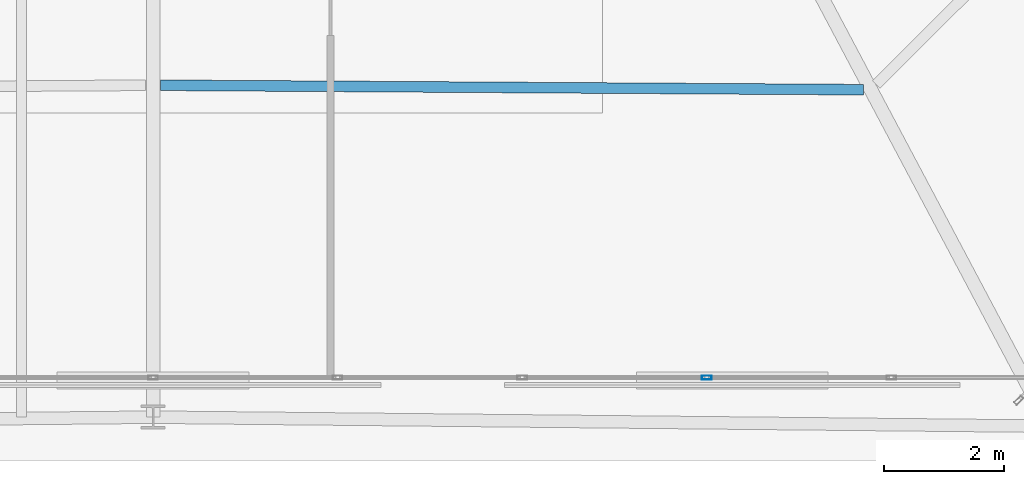
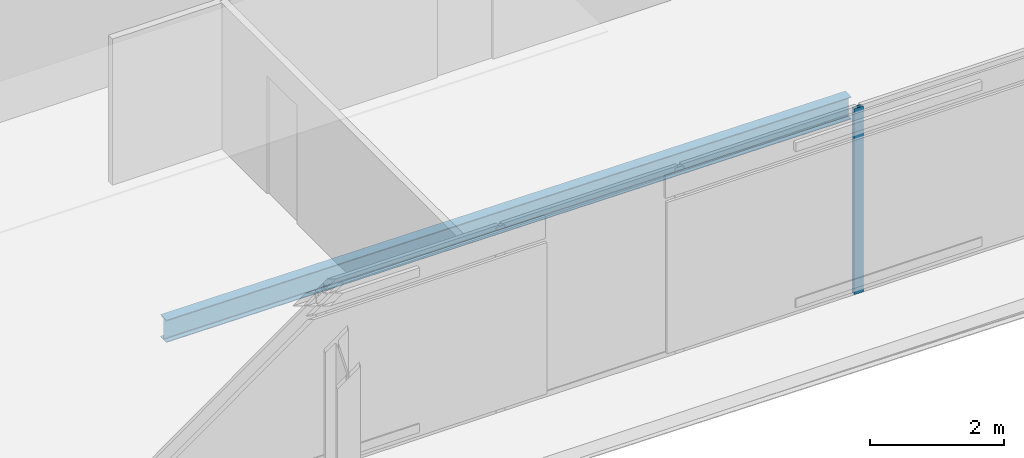
# One storey, part 12 of 39: 1 beam, 1 member, 1 element without a shape of its own.
"""IFC4 building model written with IfcOpenShell, lengths in metres."""

from ifc_helpers import new_model, si_unit, direction, frame, origin, origin_2d, place, context, subcontext, project, spatial, hollow_rectangle, i_section, extrude, material, layer, layer_set, material_profile, profile_set, type_object, element, aggregate, save


model = new_model("IFC4")

# Units and contexts
model_context = context("Model", 3, precision=1e-05, world=origin(), true_north=direction((0.0, 1.0)))
body_context = subcontext(model_context, "Body", "Model", "MODEL_VIEW")
ifc_project = project(units=[si_unit("LENGTHUNIT", "METRE"), si_unit("AREAUNIT", "SQUARE_METRE"), si_unit("VOLUMEUNIT", "CUBIC_METRE"), si_unit("PLANEANGLEUNIT", "RADIAN"), si_unit("MASSUNIT", "GRAM", prefix="KILO")], contexts=[model_context])

# Site, building, storey
site_placement = place(None, origin())
site = spatial("IfcSite", under=ifc_project, at=site_placement, CompositionType="ELEMENT")
building_placement = place(site_placement, origin())
building = spatial("IfcBuilding", under=site, at=building_placement, Name="Caelvoria Tower", CompositionType="ELEMENT")
storey_placement = place(building_placement, frame((0.0, 0.0, 198.60009765625)))
storey = spatial("IfcBuildingStorey", under=building, at=storey_placement, Name="L52", CompositionType="ELEMENT", Elevation=198.60009765625)

# Curtain wall, member
ifc_material_1 = material(Name="Anodised Bronze Aluminium and Low-E Glass", Category="aluminium")
ifc_layer = layer(ifc_material_1, 0.175048828125, Name="Anodised Bronze Aluminium and Low-E Glass")
ifc_layer_set = layer_set([ifc_layer], Name="CW System 4 High-Zone Tapered Crystal Facade - Anodised Bronze Aluminium and Low-E Glass")
curtain_wall_type = type_object("IfcCurtainWallType", Name="CW System 4 High-Zone Tapered Crystal Facade", PredefinedType="NOTDEFINED", material=ifc_layer_set)
curtain_wall_placement = place(storey_placement, origin())
curtain_wall = element("IfcCurtainWall", 1, at=curtain_wall_placement, inside=storey, type_object=curtain_wall_type, Name="CW-04 Curtain Wall L52-E0", PredefinedType="NOTDEFINED")
ifc_material_2 = material(Name="Anodised Bronze Architectural Aluminium", Category="aluminium")
ifc_material_profile_1 = material_profile(ifc_material_2, hollow_rectangle(XDim=0.06494140625, YDim=0.159912109375, WallThickness=0.00390625, at=origin_2d()), Name="Anodised Bronze Architectural Aluminium")
ifc_profile_set_1 = profile_set([ifc_material_profile_1], Name="CW_MULL_65X160 - Anodised Bronze Architectural Aluminium")
member_type = type_object("IfcMemberType", Name="Curtain Wall Mullion 65x160 Bronze Aluminium", PredefinedType="MULLION", material=ifc_profile_set_1)
member_placement = place(storey_placement, frame((55.239990234375, 13.580078125, 0.0), z_axis=(0.0, 0.0, 1.0), x_axis=(0.0, 1.0, 0.0)))
member = element("IfcMember", 2, at=member_placement, type_object=member_type, Name="CW-04 mullion 9", PredefinedType="MULLION", context=body_context, shape_type="SweptSolid", body=[
    extrude(hollow_rectangle(XDim=0.06494140625, YDim=0.159912109375, WallThickness=0.00390625, at=origin_2d()), origin(), (0.0, 0.0, 1.0), 3.375),
])
aggregate(curtain_wall, [member])

# Beam
ifc_material_3 = material(Name="Structural Steel ASTM A992 Gr.50", Category="steel")
ifc_material_profile_2 = material_profile(ifc_material_3, i_section(OverallWidth=0.177978515625, OverallDepth=0.406982421875, WebThickness=0.0078125, FlangeThickness=0.0126953125, FilletRadius=0.013916015625, at=origin_2d()), Name="Structural Steel ASTM A992 Gr.50")
ifc_profile_set_2 = profile_set([ifc_material_profile_2], Name="W410X60 - Structural Steel ASTM A992 Gr.50")
beam_type = type_object("IfcBeamType", Name="Secondary Floor Beam W410X60", PredefinedType="BEAM", material=ifc_profile_set_2)
beam_placement = place(storey_placement, frame((46.125, 18.459228515625, -0.4287109375), z_axis=(0.999979980097, -0.00632766983, 0.0), x_axis=(0.00632766983, 0.999979980097, 0.0)))
element("IfcBeam", 3, at=beam_placement, inside=storey, type_object=beam_type, Name="Secondary Floor Beam L52-01", PredefinedType="BEAM", context=body_context, shape_type="SweptSolid", body=[
    extrude(i_section(OverallWidth=0.177978515625, OverallDepth=0.406982421875, WebThickness=0.0078125, FlangeThickness=0.0126953125, FilletRadius=0.013916015625, at=origin_2d()), origin(), (0.0, 0.0, 1.0), 11.729248046875),
])

save(model, "model.ifc")
